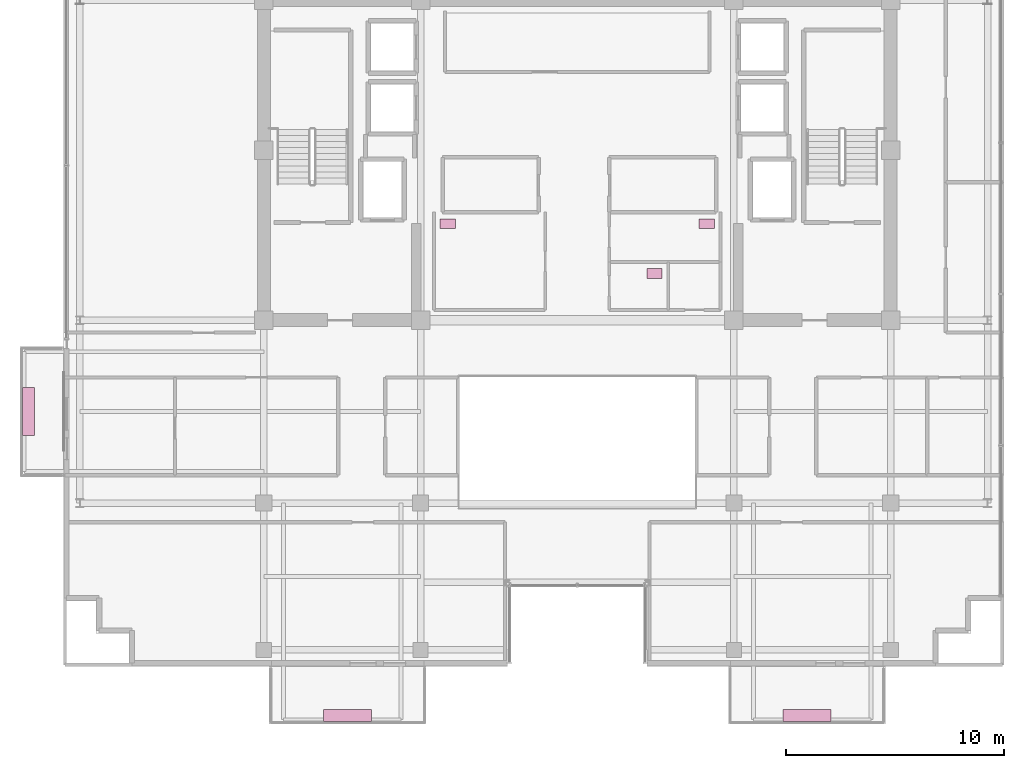
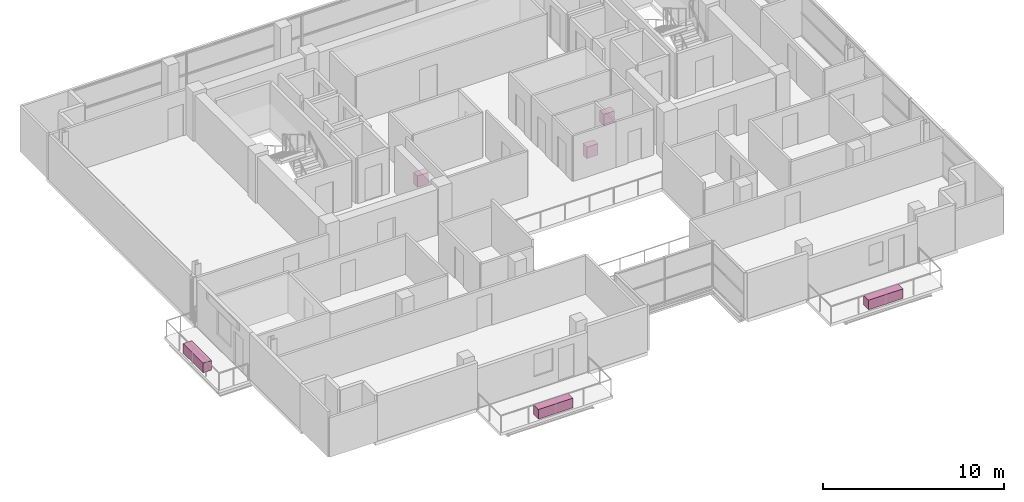
# One storey, part 22 of 22: 6 furnishings.
"""IFC4 building model written with IfcOpenShell, lengths in metres."""

from ifc_helpers import new_model, si_unit, direction, frame, origin, origin_2d, place, context, subcontext, project, spatial, rectangle, extrude, source, transform, mapped, material, type_object, element, save


model = new_model("IFC4")

# Units and contexts
model_context = context("Model", 3, precision=1e-05, world=origin(), true_north=direction((0.0, 1.0)))
body_context = subcontext(model_context, "Body", "Model", "MODEL_VIEW")
ifc_project = project(units=[si_unit("LENGTHUNIT", "METRE"), si_unit("AREAUNIT", "SQUARE_METRE"), si_unit("VOLUMEUNIT", "CUBIC_METRE"), si_unit("PLANEANGLEUNIT", "RADIAN"), si_unit("MASSUNIT", "GRAM", prefix="KILO")], contexts=[model_context])

# Site, building, storey
site_placement = place(None, origin())
site = spatial("IfcSite", under=ifc_project, at=site_placement, CompositionType="ELEMENT")
building_placement = place(site_placement, origin())
building = spatial("IfcBuilding", under=site, at=building_placement, Name="Zarnakvel Exchange Tower", CompositionType="ELEMENT")
storey_placement = place(building_placement, frame((0.0, 0.0, 215.5)))
storey = spatial("IfcBuildingStorey", under=building, at=storey_placement, Name="L60", CompositionType="ELEMENT", Elevation=215.5)

# Furnishings
ifc_material_1 = material(Name="Architectural Bronze Anodised Aluminium", Category="aluminium")
furnishing_element_type_1 = type_object("IfcFurnishingElementType", Name="PLNT-01", material=ifc_material_1)
shared_shape_1 = source(origin(), body_context, "Body", "SweptSolid", [
    extrude(rectangle(XDim=2.199951171875, YDim=0.550048828125, at=origin_2d()), origin(), (0.0, 0.0, 1.0), 0.64990234375),
])
for number, where, z_axis, x_axis, name in (
    (1, (-10.550048828125, -19.3701171875, -0.034912109375), (0.0, 0.0, 1.0), (1.0, 0.0, 0.0), "L60 Balcony Greenery Planter BAL-L60-SW"),
    (2, (10.550048828125, -19.3701171875, -0.034912109375), (0.0, 0.0, 1.0), (1.0, 0.0, 0.0), "L60 Balcony Greenery Planter BAL-L60-SE"),
    (3, (-25.219970703125, -5.39990234375, -0.034912109375), (0.0, 0.0, 1.0), (0.0, 1.0, 0.0), "L60 Balcony Greenery Planter BAL-L60-W"),
):
    element("IfcFurnishingElement", number, at=place(storey_placement, frame(where, z_axis=z_axis, x_axis=x_axis)), inside=storey, type_object=furnishing_element_type_1, Name=name, ObjectType="PLANTER", context=body_context, shape_type="MappedRepresentation", body=[
        mapped(shared_shape_1, transform((0.0, 0.0, 0.0), x_axis=(1.0, 0.0, 0.0), y_axis=(0.0, 1.0, 0.0), z_axis=(0.0, 0.0, 1.0), scale=1.0)),
    ])
ifc_material_2 = material(Name="Vitreous China Sanitaryware", Category="ceramic")
furnishing_element_type_2 = type_object("IfcFurnishingElementType", Name="SAN-WC", material=ifc_material_2)
shared_shape_2 = source(origin(), body_context, "Body", "SweptSolid", [
    extrude(rectangle(XDim=0.699951171875, YDim=0.449951171875, at=origin_2d()), origin(), (0.0, 0.0, 1.0), 0.780029296875),
])
for number, where, z_axis, x_axis, name in (
    (4, (-5.949951171875, 3.22998046875, 0.0), (0.0, 0.0, 1.0), (1.0, 0.0, 0.0), "L60 Sanitary Fixture (Male Toilet)"),
    (5, (5.949951171875, 3.22998046875, 0.0), (0.0, 0.0, 1.0), (1.0, 0.0, 0.0), "L60 Sanitary Fixture (Female Toilet)"),
    (6, (3.550048828125, 0.949951171875, 0.0), (0.0, 0.0, 1.0), (1.0, 0.0, 0.0), "L60 Sanitary Fixture (Accessible Toilet)"),
):
    element("IfcFurnishingElement", number, at=place(storey_placement, frame(where, z_axis=z_axis, x_axis=x_axis)), inside=storey, type_object=furnishing_element_type_2, Name=name, ObjectType="SANITARY_FIXTURE", context=body_context, shape_type="MappedRepresentation", body=[
        mapped(shared_shape_2, transform((0.0, 0.0, 0.0), x_axis=(1.0, 0.0, 0.0), y_axis=(0.0, 1.0, 0.0), z_axis=(0.0, 0.0, 1.0), scale=1.0)),
    ])

save(model, "model.ifc")
